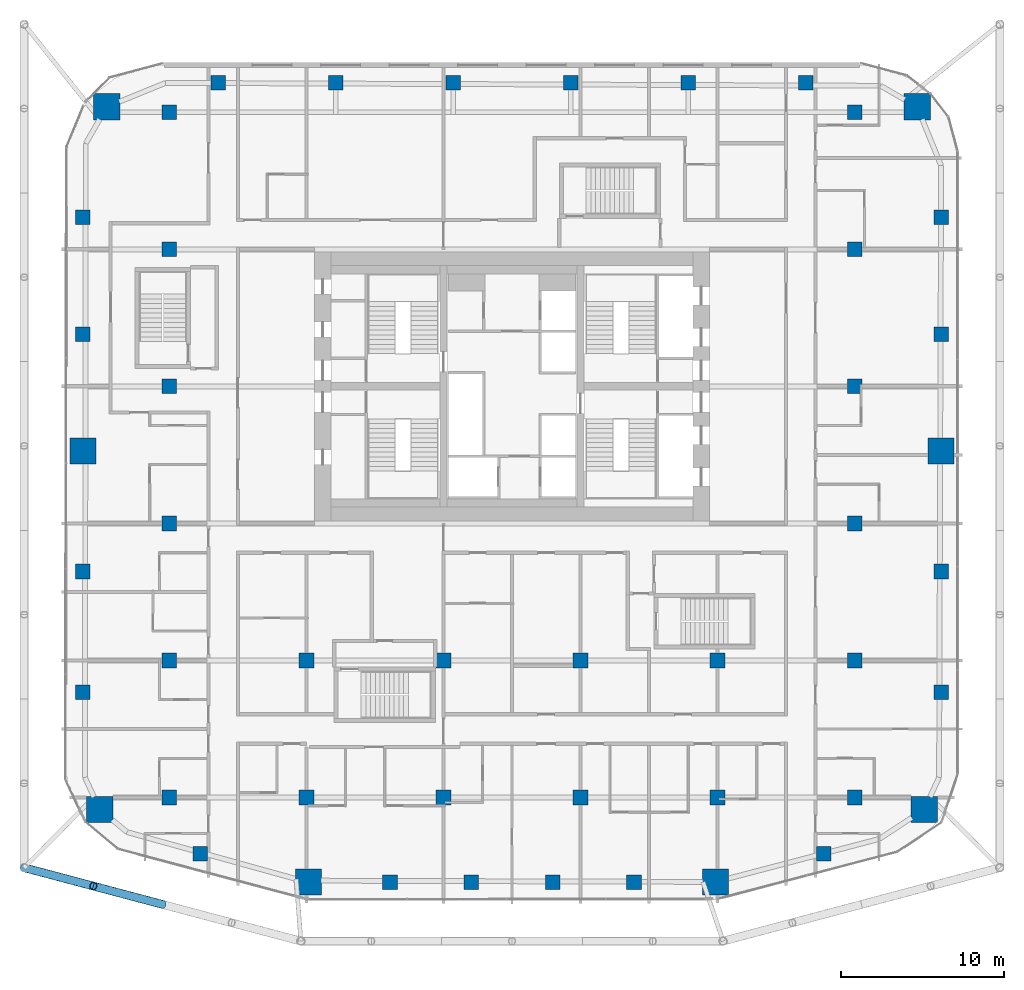
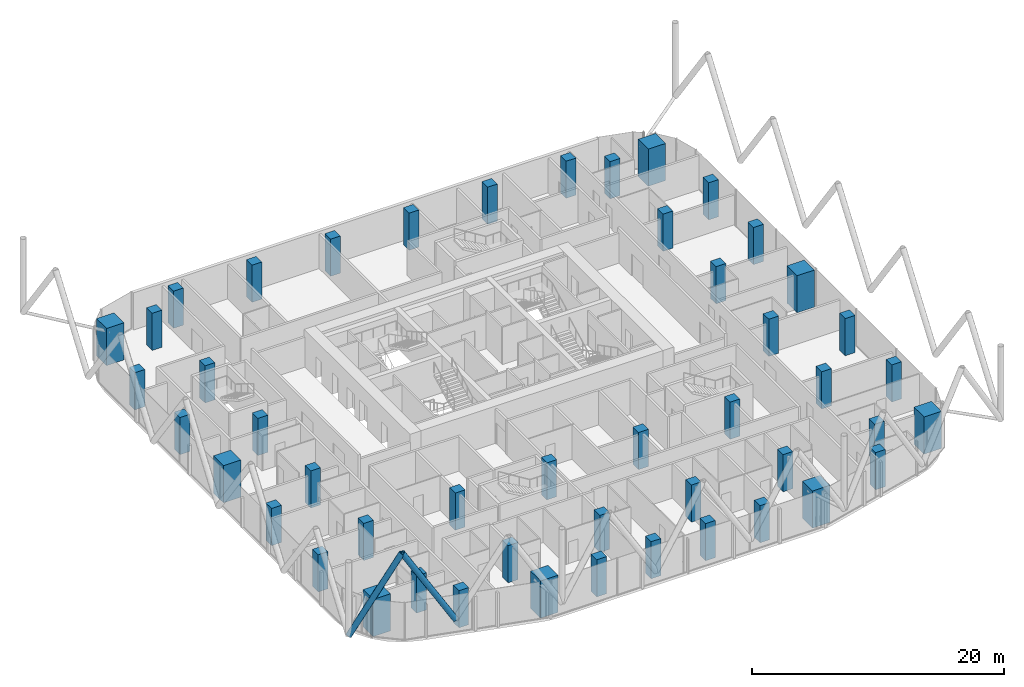
# One storey, part 1 of 33: 48 columns, 2 members.
"""IFC4 building model written with IfcOpenShell, lengths in metres."""

from ifc_helpers import new_model, si_unit, direction, frame, origin, origin_2d, place, context, subcontext, project, spatial, rectangle, hollow_circle, extrude, material, material_profile, profile_set, type_object, element, save


model = new_model("IFC4")

# Units and contexts
model_context = context("Model", 3, precision=1e-05, world=origin(), true_north=direction((0.0, 1.0)))
body_context = subcontext(model_context, "Body", "Model", "MODEL_VIEW")
ifc_project = project(units=[si_unit("LENGTHUNIT", "METRE"), si_unit("AREAUNIT", "SQUARE_METRE"), si_unit("VOLUMEUNIT", "CUBIC_METRE"), si_unit("PLANEANGLEUNIT", "RADIAN"), si_unit("MASSUNIT", "GRAM", prefix="KILO")], contexts=[model_context])

# Site, building, storey
site_placement = place(None, origin())
site = spatial("IfcSite", under=ifc_project, at=site_placement, CompositionType="ELEMENT")
building_placement = place(site_placement, origin())
building = spatial("IfcBuilding", under=site, at=building_placement, Name="Marenta Gate Hotel Tower", CompositionType="ELEMENT")
storey_placement = place(building_placement, frame((0.0, 0.0, 151.699951171875)))
storey = spatial("IfcBuildingStorey", under=building, at=storey_placement, Name="L35", CompositionType="ELEMENT", Elevation=151.699951171875)

# Columns
ifc_material_1 = material(Name="Concrete C70", Category="concrete")
ifc_material_profile_1 = material_profile(ifc_material_1, rectangle(XDim=0.89990234375, YDim=0.89990234375, at=origin_2d()), Name="900 x 900")
ifc_profile_set_1 = profile_set([ifc_material_profile_1], Name="Concrete C70")
column_type_1 = type_object("IfcColumnType", Name="Edge column 900 x 900 C70", PredefinedType="COLUMN", material=ifc_profile_set_1)
for number, where, z_axis, x_axis, name in (
    (1, (-26.300048828125, -10.351806640625, 0.0), (0.0, 0.0, 1.0), (1.0, 0.0, 0.0), "L35-EC-SW-W-1"),
    (2, (-26.300048828125, -2.950927734375, 0.0), (0.0, 0.0, 1.0), (1.0, 0.0, 0.0), "L35-EC-SW-W-2"),
    (3, (-26.300048828125, 11.603271484375, 0.0), (0.0, 0.0, 1.0), (1.0, 0.0, 0.0), "L35-EC-W-NW-1"),
    (4, (-26.300048828125, 18.75634765625, 0.0), (0.0, 0.0, 1.0), (1.0, 0.0, 0.0), "L35-EC-W-NW-2"),
    (5, (-18.0068359375, 27.0, 0.0), (0.0, 0.0, 1.0), (1.0, 0.0, 0.0), "L35-EC-NW-NE-1"),
    (6, (-10.80419921875, 27.0, 0.0), (0.0, 0.0, 1.0), (1.0, 0.0, 0.0), "L35-EC-NW-NE-2"),
    (7, (-3.601318359375, 27.0, 0.0), (0.0, 0.0, 1.0), (1.0, 0.0, 0.0), "L35-EC-NW-NE-3"),
    (8, (3.601318359375, 27.0, 0.0), (0.0, 0.0, 1.0), (1.0, 0.0, 0.0), "L35-EC-NW-NE-4"),
    (9, (10.80419921875, 27.0, 0.0), (0.0, 0.0, 1.0), (1.0, 0.0, 0.0), "L35-EC-NW-NE-5"),
    (10, (18.0068359375, 27.0, 0.0), (0.0, 0.0, 1.0), (1.0, 0.0, 0.0), "L35-EC-NW-NE-6"),
    (11, (26.300048828125, 18.75634765625, 0.0), (0.0, 0.0, 1.0), (1.0, 0.0, 0.0), "L35-EC-NE-E-1"),
    (12, (26.300048828125, 11.603271484375, 0.0), (0.0, 0.0, 1.0), (1.0, 0.0, 0.0), "L35-EC-NE-E-2"),
    (13, (26.300048828125, -2.950927734375, 0.0), (0.0, 0.0, 1.0), (1.0, 0.0, 0.0), "L35-EC-E-SE-1"),
    (14, (26.300048828125, -10.351806640625, 0.0), (0.0, 0.0, 1.0), (1.0, 0.0, 0.0), "L35-EC-E-SE-2"),
    (15, (19.106689453125, -20.239013671875, 0.0), (0.0, 0.0, 1.0), (1.0, 0.0, 0.0), "L35-EC-SE-SKE-1"),
    (16, (7.47998046875, -22.0, 0.0), (0.0, 0.0, 1.0), (1.0, 0.0, 0.0), "L35-EC-SKE-SKW-1"),
    (17, (2.493408203125, -22.0, 0.0), (0.0, 0.0, 1.0), (1.0, 0.0, 0.0), "L35-EC-SKE-SKW-2"),
    (18, (-2.493408203125, -22.0, 0.0), (0.0, 0.0, 1.0), (1.0, 0.0, 0.0), "L35-EC-SKE-SKW-3"),
    (19, (-7.47998046875, -22.0, 0.0), (0.0, 0.0, 1.0), (1.0, 0.0, 0.0), "L35-EC-SKE-SKW-4"),
    (20, (-19.106689453125, -20.239013671875, 0.0), (0.0, 0.0, 1.0), (1.0, 0.0, 0.0), "L35-EC-SKW-SW-1"),
):
    element("IfcColumn", number, at=place(storey_placement, frame(where, z_axis=z_axis, x_axis=x_axis)), inside=storey, type_object=column_type_1, Name=name, PredefinedType="COLUMN", context=body_context, shape_type="SweptSolid", body=[
        extrude(rectangle(XDim=0.89990234375, YDim=0.89990234375, at=origin_2d()), origin(), (0.0, 0.0, 1.0), 3.60009765625),
    ])
ifc_material_2 = material(Name="Concrete C70", Category="concrete")
ifc_material_profile_2 = material_profile(ifc_material_2, rectangle(XDim=0.89990234375, YDim=0.89990234375, at=origin_2d()), Name="900 x 900")
ifc_profile_set_2 = profile_set([ifc_material_profile_2], Name="Concrete C70")
column_type_2 = type_object("IfcColumnType", Name="Interior column 900 x 900 C70", PredefinedType="COLUMN", material=ifc_profile_set_2)
for number, where, z_axis, x_axis, name in (
    (21, (-21.0, -16.800048828125, 0.0), (0.0, 0.0, 1.0), (1.0, 0.0, 0.0), "L35-IC-4D"),
    (22, (-21.0, -8.39990234375, 0.0), (0.0, 0.0, 1.0), (1.0, 0.0, 0.0), "L35-IC-4E"),
    (23, (-21.0, 0.0, 0.0), (0.0, 0.0, 1.0), (1.0, 0.0, 0.0), "L35-IC-4F"),
    (24, (-21.0, 8.39990234375, 0.0), (0.0, 0.0, 1.0), (1.0, 0.0, 0.0), "L35-IC-4G"),
    (25, (-21.0, 16.800048828125, 0.0), (0.0, 0.0, 1.0), (1.0, 0.0, 0.0), "L35-IC-4H"),
    (26, (-21.0, 25.199951171875, 0.0), (0.0, 0.0, 1.0), (1.0, 0.0, 0.0), "L35-IC-4I"),
    (27, (-12.60009765625, -16.800048828125, 0.0), (0.0, 0.0, 1.0), (1.0, 0.0, 0.0), "L35-IC-5D"),
    (28, (-12.60009765625, -8.39990234375, 0.0), (0.0, 0.0, 1.0), (1.0, 0.0, 0.0), "L35-IC-5E"),
    (29, (-4.199951171875, -16.800048828125, 0.0), (0.0, 0.0, 1.0), (1.0, 0.0, 0.0), "L35-IC-6D"),
    (30, (-4.199951171875, -8.39990234375, 0.0), (0.0, 0.0, 1.0), (1.0, 0.0, 0.0), "L35-IC-6E"),
    (31, (4.199951171875, -16.800048828125, 0.0), (0.0, 0.0, 1.0), (1.0, 0.0, 0.0), "L35-IC-7D"),
    (32, (4.199951171875, -8.39990234375, 0.0), (0.0, 0.0, 1.0), (1.0, 0.0, 0.0), "L35-IC-7E"),
    (33, (12.60009765625, -16.800048828125, 0.0), (0.0, 0.0, 1.0), (1.0, 0.0, 0.0), "L35-IC-8D"),
    (34, (12.60009765625, -8.39990234375, 0.0), (0.0, 0.0, 1.0), (1.0, 0.0, 0.0), "L35-IC-8E"),
    (35, (21.0, -16.800048828125, 0.0), (0.0, 0.0, 1.0), (1.0, 0.0, 0.0), "L35-IC-9D"),
    (36, (21.0, -8.39990234375, 0.0), (0.0, 0.0, 1.0), (1.0, 0.0, 0.0), "L35-IC-9E"),
    (37, (21.0, 0.0, 0.0), (0.0, 0.0, 1.0), (1.0, 0.0, 0.0), "L35-IC-9F"),
    (38, (21.0, 8.39990234375, 0.0), (0.0, 0.0, 1.0), (1.0, 0.0, 0.0), "L35-IC-9G"),
    (39, (21.0, 16.800048828125, 0.0), (0.0, 0.0, 1.0), (1.0, 0.0, 0.0), "L35-IC-9H"),
    (40, (21.0, 25.199951171875, 0.0), (0.0, 0.0, 1.0), (1.0, 0.0, 0.0), "L35-IC-9I"),
):
    element("IfcColumn", number, at=place(storey_placement, frame(where, z_axis=z_axis, x_axis=x_axis)), inside=storey, type_object=column_type_2, Name=name, PredefinedType="COLUMN", context=body_context, shape_type="SweptSolid", body=[
        extrude(rectangle(XDim=0.89990234375, YDim=0.89990234375, at=origin_2d()), origin(), (0.0, 0.0, 1.0), 3.60009765625),
    ])
ifc_material_3 = material(Name="Concrete C70", Category="concrete")
ifc_material_profile_3 = material_profile(ifc_material_3, rectangle(XDim=1.60009765625, YDim=1.60009765625, at=origin_2d()), Name="1600 x 1600")
ifc_profile_set_3 = profile_set([ifc_material_profile_3], Name="Concrete C70")
column_type_3 = type_object("IfcColumnType", Name="Mega column 1600 x 1600 C70", PredefinedType="COLUMN", material=ifc_profile_set_3)
for number, where, z_axis, x_axis, name in (
    (41, (-25.262939453125, -17.532958984375, 0.0), (0.0, 0.0, 1.0), (1.0, 0.0, 0.0), "L35-MC-SW"),
    (42, (-12.46630859375, -21.974853515625, 0.0), (0.0, 0.0, 1.0), (1.0, 0.0, 0.0), "L35-MC-SKW"),
    (43, (12.46630859375, -21.974853515625, 0.0), (0.0, 0.0, 1.0), (1.0, 0.0, 0.0), "L35-MC-SKE"),
    (44, (25.262939453125, -17.532958984375, 0.0), (0.0, 0.0, 1.0), (1.0, 0.0, 0.0), "L35-MC-SE"),
    (45, (26.300048828125, 4.449951171875, 0.0), (0.0, 0.0, 1.0), (1.0, 0.0, 0.0), "L35-MC-E"),
    (46, (24.83544921875, 25.535400390625, 0.0), (0.0, 0.0, 1.0), (1.0, 0.0, 0.0), "L35-MC-NE"),
    (47, (-24.83544921875, 25.535400390625, 0.0), (0.0, 0.0, 1.0), (1.0, 0.0, 0.0), "L35-MC-NW"),
    (48, (-26.300048828125, 4.449951171875, 0.0), (0.0, 0.0, 1.0), (1.0, 0.0, 0.0), "L35-MC-W"),
):
    element("IfcColumn", number, at=place(storey_placement, frame(where, z_axis=z_axis, x_axis=x_axis)), inside=storey, type_object=column_type_3, Name=name, PredefinedType="COLUMN", context=body_context, shape_type="SweptSolid", body=[
        extrude(rectangle(XDim=1.60009765625, YDim=1.60009765625, at=origin_2d()), origin(), (0.0, 0.0, 1.0), 3.60009765625),
    ])

# Members
ifc_material_4 = material(Name="Steel S355J2W", Category="steel")
ifc_material_profile_4 = material_profile(ifc_material_4, hollow_circle(Radius=0.25390625, WallThickness=0.0400390625, at=origin_2d()), Name="CHS 508x40")
ifc_profile_set_4 = profile_set([ifc_material_profile_4], Name="Steel S355J2W")
member_type = type_object("IfcMemberType", Name="Diagrid diagonal Z2 CHS 508x40", PredefinedType="BRACE", material=ifc_profile_set_4)
member_1_placement = place(storey_placement, frame((-21.41943359375, -23.35009765625, 3.14013671875), z_axis=(-0.502945650976, 0.133431605717, 0.853956485285), x_axis=(-0.256429393985, -0.966562965306, 0.0)))
element("IfcMember", 49, at=member_1_placement, inside=storey, type_object=member_type, Name="L35-DG-23", PredefinedType="BRACE", context=body_context, shape_type="SweptSolid", body=[
    extrude(hollow_circle(Radius=0.25390625, WallThickness=0.0400390625, at=origin_2d()), origin(), (0.0, 0.0, 1.0), 8.431396484375),
])
member_2_placement = place(storey_placement, frame((-29.89990234375, -21.10009765625, 3.14013671875), z_axis=(0.502902385412, -0.133435492139, 0.853981358218), x_axis=(0.256456982503, 0.966555645644, 0.0)))
element("IfcMember", 50, at=member_2_placement, inside=storey, type_object=member_type, Name="L35-DG-24", PredefinedType="BRACE", context=body_context, shape_type="SweptSolid", body=[
    extrude(hollow_circle(Radius=0.25390625, WallThickness=0.0400390625, at=origin_2d()), origin(), (0.0, 0.0, 1.0), 8.43115234375),
])

save(model, "model.ifc")
